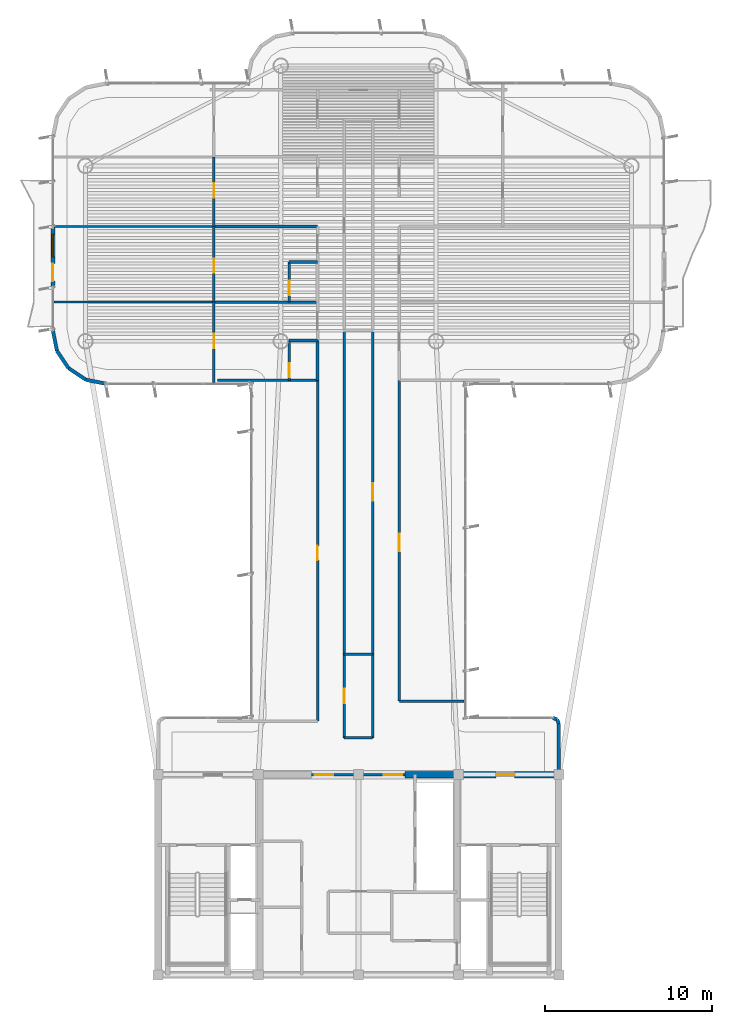
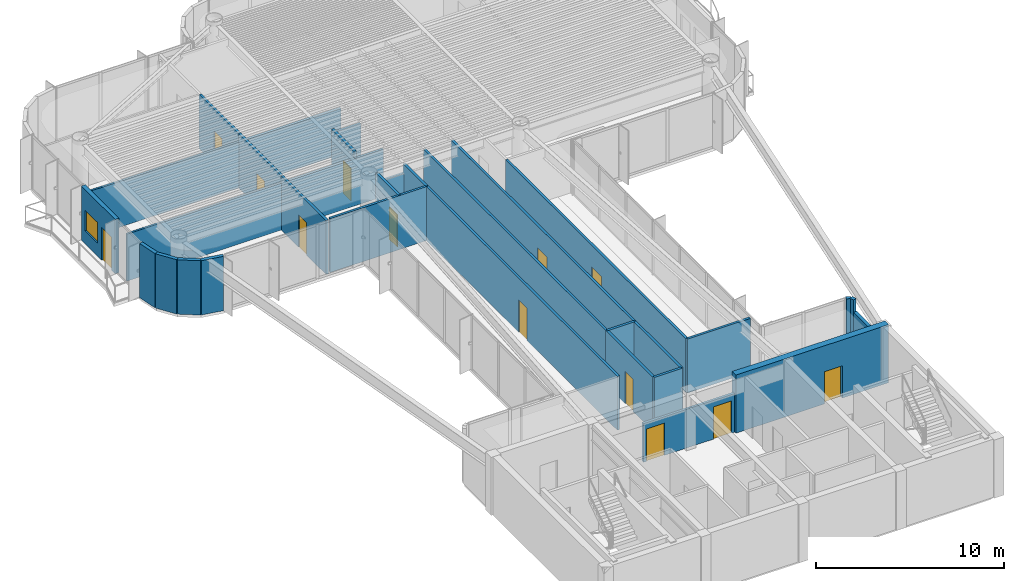
# One storey, part 11 of 15: 32 walls, 13 doors, 1 window, 14 openings.
"""IFC4 building model written with IfcOpenShell, lengths in metres."""

from ifc_helpers import new_model, si_unit, direction, frame, frame_2d, origin, origin_2d, place, context, subcontext, project, spatial, rectangle, extrude, source, transform, mapped, material, layer, layer_set, type_object, element, fill, save


model = new_model("IFC4")

# Units and contexts
model_context = context("Model", 3, precision=1e-05, world=origin(), true_north=direction((0.0, 1.0)))
body_context = subcontext(model_context, "Body", "Model", "MODEL_VIEW")
ifc_project = project(units=[si_unit("LENGTHUNIT", "METRE"), si_unit("AREAUNIT", "SQUARE_METRE"), si_unit("VOLUMEUNIT", "CUBIC_METRE"), si_unit("PLANEANGLEUNIT", "RADIAN"), si_unit("MASSUNIT", "GRAM", prefix="KILO")], contexts=[model_context])

# Site, building, storey
site_placement = place(None, origin())
site = spatial("IfcSite", under=ifc_project, at=site_placement, CompositionType="ELEMENT")
building_placement = place(site_placement, origin())
building = spatial("IfcBuilding", under=site, at=building_placement, Name="Brelvock Crest Care Tower", CompositionType="ELEMENT")
storey_placement = place(building_placement, frame((0.0, 0.0, 260.820068359375)))
storey = spatial("IfcBuildingStorey", under=building, at=storey_placement, Name="L66", CompositionType="ELEMENT", Elevation=260.820068359375)

# Wall, opening, door
ifc_material_1 = material(Name="Concrete S65 (65 MPa)", Category="concrete")
ifc_layer_1 = layer(ifc_material_1, 0.39990234375, Name="WL-CS4")
ifc_layer_set_1 = layer_set([ifc_layer_1], Name="Concrete S65 (65 MPa)")
wall_type_1 = type_object("IfcWallType", Name="WL-CS4", PredefinedType="SHEAR", material=ifc_layer_set_1)
wall_1_placement = place(storey_placement, frame((38.800048828125, 18.0, 0.0), z_axis=(0.0, 0.0, 1.0), x_axis=(1.0, 0.0, 0.0)))
wall_1 = element("IfcWall", 1, at=wall_1_placement, inside=storey, type_object=wall_type_1, Name="L66 Core North-East Shear Wall", PredefinedType="SHEAR", context=body_context, shape_type="SweptSolid", body=[
    extrude(rectangle(XDim=9.39990234375, YDim=0.39990234375, at=frame_2d((4.699951171875, 0.0))), origin(), (0.0, 0.0, 1.0), 3.780029296875),
])
opening_1_placement = place(wall_1_placement, frame((5.449951171875, 0.0, 0.0)))
opening_1 = element("IfcOpeningElement", 2, at=opening_1_placement, cuts=wall_1, Name="Opening FD-1", PredefinedType="OPENING", context=body_context, shape_type="SweptSolid", body=[
    extrude(rectangle(XDim=1.10009765625, YDim=2.10009765625, at=origin_2d()), frame((0.550048828125, 0.2099609375, 1.050048828125), z_axis=(0.0, -1.0, 0.0), x_axis=(1.0, 0.0, 0.0)), (0.0, 0.0, 1.0), 0.419921875),
])
ifc_material_2 = material(Name="Steel Grade 350", Category="steel")
door_type_1 = type_object("IfcDoorType", Name="DR-FFL1", OperationType="NOTDEFINED", PredefinedType="DOOR", material=ifc_material_2)
shared_shape_1 = source(origin(), body_context, "Body", "SweptSolid", [
    extrude(rectangle(XDim=1.10009765625, YDim=2.10009765625, at=origin_2d()), frame((0.550048828125, 0.02490234375, 1.050048828125), z_axis=(0.0, -1.0, 0.0), x_axis=(1.0, 0.0, 0.0)), (0.0, 0.0, 1.0), 0.050048828125),
])
door_1_placement = place(opening_1_placement, origin())
door_1 = element("IfcDoor", 3, at=door_1_placement, inside=storey, type_object=door_type_1, Name="L66 Firefighting Lobby FFL-2 Exit Door", OperationType="SINGLE_SWING_RIGHT", OverallHeight=2.10009765625, OverallWidth=1.10009765625, PredefinedType="DOOR", context=body_context, shape_type="MappedRepresentation", body=[
    mapped(shared_shape_1, transform((0.0, 0.0, 0.0), x_axis=(1.0, 0.0, 0.0), y_axis=(0.0, 1.0, 0.0), z_axis=(0.0, 0.0, 1.0), scale=1.0)),
])
fill(opening_1, door_1)

# Wall, openings, door, window
ifc_material_3 = material(Name="Precast concrete N40 (40 MPa)", Category="concrete")
ifc_layer_2 = layer(ifc_material_3, 0.239990234375, Name="WL-EX1")
ifc_layer_set_2 = layer_set([ifc_layer_2], Name="Precast concrete N40 (40 MPa)")
wall_type_2 = type_object("IfcWallType", Name="WL-EX1", PredefinedType="SOLIDWALL", material=ifc_layer_set_2)
wall_2_placement = place(storey_placement, frame((17.699951171875, 47.14990234375, 0.0), z_axis=(0.0, 0.0, 1.0), x_axis=(0.0, 1.0, 0.0)))
wall_2 = element("IfcWall", 4, at=wall_2_placement, inside=storey, type_object=wall_type_2, Name="L66 Exterior Spandrel Wall WL-BAL-L66-W", PredefinedType="SOLIDWALL", context=body_context, shape_type="SweptSolid", body=[
    extrude(rectangle(XDim=3.60009765625, YDim=0.239990234375, at=frame_2d((1.800048828125, 0.0))), origin(), (0.0, 0.0, 1.0), 3.530029296875),
])
opening_2_placement = place(wall_2_placement, frame((0.39990234375, 0.0, 0.0)))
opening_2 = element("IfcOpeningElement", 5, at=opening_2_placement, cuts=wall_2, Name="Opening BD-1", PredefinedType="OPENING", context=body_context, shape_type="SweptSolid", body=[
    extrude(rectangle(XDim=1.050048828125, YDim=2.14990234375, at=origin_2d()), frame((0.52490234375, 0.1298828125, 1.074951171875), z_axis=(0.0, -1.0, 0.0), x_axis=(1.0, 0.0, 0.0)), (0.0, 0.0, 1.0), 0.260009765625),
])
opening_3_placement = place(wall_2_placement, frame((1.85009765625, 0.0, 0.85009765625)))
opening_3 = element("IfcOpeningElement", 6, at=opening_3_placement, cuts=wall_2, Name="Opening W-01", PredefinedType="OPENING", context=body_context, shape_type="SweptSolid", body=[
    extrude(rectangle(XDim=1.35009765625, YDim=1.35009765625, at=origin_2d()), frame((0.675048828125, 0.1298828125, 0.675048828125), z_axis=(0.0, -1.0, 0.0), x_axis=(1.0, 0.0, 0.0)), (0.0, 0.0, 1.0), 0.260009765625),
])
ifc_material_4 = material(Name="Dark Glass Double Glazed Low-E", Category="glass")
door_type_2 = type_object("IfcDoorType", Name="DR-BAL1", OperationType="NOTDEFINED", PredefinedType="DOOR", material=ifc_material_4)
shared_shape_2 = source(origin(), body_context, "Body", "SweptSolid", [
    extrude(rectangle(XDim=1.050048828125, YDim=2.14990234375, at=origin_2d()), frame((0.52490234375, 0.02490234375, 1.074951171875), z_axis=(0.0, -1.0, 0.0), x_axis=(1.0, 0.0, 0.0)), (0.0, 0.0, 1.0), 0.050048828125),
])
door_2_placement = place(opening_2_placement, origin())
door_2 = element("IfcDoor", 7, at=door_2_placement, inside=storey, type_object=door_type_2, Name="L66 W Wave Balcony Glazed Door", OperationType="SINGLE_SWING_LEFT", OverallHeight=2.14990234375, OverallWidth=1.050048828125, PredefinedType="DOOR", context=body_context, shape_type="MappedRepresentation", body=[
    mapped(shared_shape_2, transform((0.0, 0.0, 0.0), x_axis=(1.0, 0.0, 0.0), y_axis=(0.0, 1.0, 0.0), z_axis=(0.0, 0.0, 1.0), scale=1.0)),
])
fill(opening_2, door_2)
window_type = type_object("IfcWindowType", Name="WN-EX1", PartitioningType="SINGLE_PANEL", PredefinedType="WINDOW", material=ifc_material_4)
shared_shape_3 = source(origin(), body_context, "Body", "SweptSolid", [
    extrude(rectangle(XDim=1.35009765625, YDim=1.35009765625, at=origin_2d()), frame((0.675048828125, 0.030029296875, 0.675048828125), z_axis=(0.0, -1.0, 0.0), x_axis=(1.0, 0.0, 0.0)), (0.0, 0.0, 1.0), 0.06005859375),
])
window_placement = place(opening_3_placement, origin())
window = element("IfcWindow", 8, at=window_placement, inside=storey, type_object=window_type, Name="L66 W Suite Casement Window", OverallHeight=1.35009765625, OverallWidth=1.35009765625, PartitioningType="SINGLE_PANEL", PredefinedType="WINDOW", context=body_context, shape_type="MappedRepresentation", body=[
    mapped(shared_shape_3, transform((0.0, 0.0, 0.0), x_axis=(1.0, 0.0, 0.0), y_axis=(0.0, 1.0, 0.0), z_axis=(0.0, 0.0, 1.0), scale=1.0)),
])
fill(opening_3, window)

# Walls
ifc_layer_3 = layer(ifc_material_3, 0.215087890625, Name="WL-EX2")
ifc_layer_set_3 = layer_set([ifc_layer_3], Name="Precast concrete N40 (40 MPa)")
wall_type_3 = type_object("IfcWallType", Name="WL-EX2", PredefinedType="SOLIDWALL", material=ifc_layer_set_3)
wall_3_placement = place(storey_placement, frame((47.8974609375, 21.297607421875, 0.0), z_axis=(0.0, 0.0, 1.0), x_axis=(0.382673670509, -0.923883575944, 0.0)))
element("IfcWall", 9, at=wall_3_placement, inside=storey, type_object=wall_type_3, Name="L66 Rounded Corner Wall 00", PredefinedType="SOLIDWALL", context=body_context, shape_type="SweptSolid", body=[
    extrude(rectangle(XDim=0.26806640625, YDim=0.215087890625, at=frame_2d((0.134033203125, 0.0))), origin(), (0.0, 0.0, 1.0), 3.530029296875),
])
wall_4_placement = place(storey_placement, frame((48.0, 21.050048828125, 0.0), z_axis=(0.0, 0.0, 1.0), x_axis=(0.0, -1.0, 0.0)))
element("IfcWall", 10, at=wall_4_placement, inside=storey, type_object=wall_type_3, Name="L66 Rounded Corner Wall 01", PredefinedType="SOLIDWALL", context=body_context, shape_type="SweptSolid", body=[
    extrude(rectangle(XDim=2.77001953125, YDim=0.215087890625, at=frame_2d((1.385009765625, 0.0))), origin(), (0.0, 0.0, 1.0), 2.718017578125),
])
for number, where, z_axis, x_axis, name in (
    (11, (20.89990234375, 41.39990234375, 0.0), (0.0, 0.0, 1.0), (-0.980775717779, 0.195138390419, 0.0), "L66 Rounded Corner Wall 13"),
    (12, (19.67529296875, 41.6435546875, 0.0), (0.0, 0.0, 1.0), (-0.831387912822, 0.555692485475, 0.0), "L66 Rounded Corner Wall 14"),
    (13, (18.63720703125, 42.33740234375, 0.0), (0.0, 0.0, 1.0), (-0.555557312883, 0.831478245117, 0.0), "L66 Rounded Corner Wall 15"),
    (14, (17.943603515625, 43.37548828125, 0.0), (0.0, 0.0, 1.0), (-0.195138390419, 0.980775717779, 0.0), "L66 Rounded Corner Wall 16"),
):
    element("IfcWall", number, at=place(storey_placement, frame(where, z_axis=z_axis, x_axis=x_axis)), inside=storey, type_object=wall_type_3, Name=name, PredefinedType="SOLIDWALL", context=body_context, shape_type="SweptSolid", body=[
        extrude(rectangle(XDim=1.24853515625, YDim=0.215087890625, at=frame_2d((0.624267578125, 0.0))), origin(), (0.0, 0.0, 1.0), 3.530029296875),
    ])
wall_5_placement = place(storey_placement, frame((47.64990234375, 21.39990234375, 0.0), z_axis=(0.0, 0.0, 1.0), x_axis=(0.924205486139, -0.381895560841, 0.0)))
element("IfcWall", 15, at=wall_5_placement, inside=storey, type_object=wall_type_3, Name="L66 Rounded Corner Wall 47", PredefinedType="SOLIDWALL", context=body_context, shape_type="SweptSolid", body=[
    extrude(rectangle(XDim=0.267822265625, YDim=0.215087890625, at=frame_2d((0.1337890625, 0.0))), origin(), (0.0, 0.0, 1.0), 3.530029296875),
])

# Wall, openings, doors
ifc_material_5 = material(Name="Masonry Blockwork Acoustic Partition", Category="masonry")
ifc_layer_4 = layer(ifc_material_5, 0.14990234375, Name="WL-INT1")
ifc_layer_set_4 = layer_set([ifc_layer_4], Name="Masonry Blockwork Acoustic Partition")
wall_type_4 = type_object("IfcWallType", Name="WL-INT1", PredefinedType="PARTITIONING", material=ifc_layer_set_4)
wall_6_placement = place(storey_placement, frame((33.199951171875, 18.0, 0.0), z_axis=(0.0, 0.0, 1.0), x_axis=(1.0, 0.0, 0.0)))
wall_6 = element("IfcWall", 16, at=wall_6_placement, inside=storey, type_object=wall_type_4, Name="L66 Interior Wall WL-CORE-NPORT-L66", PredefinedType="PARTITIONING", context=body_context, shape_type="SweptSolid", body=[
    extrude(rectangle(XDim=5.60009765625, YDim=0.14990234375, at=frame_2d((2.800048828125, 0.0))), origin(), (0.0, 0.0, 1.0), 2.514892578125),
])
opening_4_placement = place(wall_6_placement, frame((0.18994140625, 0.0, 0.0)))
opening_4 = element("IfcOpeningElement", 17, at=opening_4_placement, cuts=wall_6, Name="Opening FD-1", PredefinedType="OPENING", context=body_context, shape_type="SweptSolid", body=[
    extrude(rectangle(XDim=1.10009765625, YDim=2.10009765625, at=origin_2d()), frame((0.550048828125, 0.0849609375, 1.050048828125), z_axis=(0.0, -1.0, 0.0), x_axis=(1.0, 0.0, 0.0)), (0.0, 0.0, 1.0), 0.169921875),
])
opening_5_placement = place(wall_6_placement, frame((4.31005859375, 0.0, 0.0)))
opening_5 = element("IfcOpeningElement", 18, at=opening_5_placement, cuts=wall_6, Name="Opening FD-1", PredefinedType="OPENING", context=body_context, shape_type="SweptSolid", body=[
    extrude(rectangle(XDim=1.10009765625, YDim=2.10009765625, at=origin_2d()), frame((0.550048828125, 0.0849609375, 1.050048828125), z_axis=(0.0, -1.0, 0.0), x_axis=(1.0, 0.0, 0.0)), (0.0, 0.0, 1.0), 0.169921875),
])
door_3_placement = place(opening_4_placement, origin())
door_3 = element("IfcDoor", 19, at=door_3_placement, inside=storey, type_object=door_type_1, Name="L66 Lift Lobby North Smoke Door West", OperationType="SINGLE_SWING_LEFT", OverallHeight=2.10009765625, OverallWidth=1.10009765625, PredefinedType="DOOR", context=body_context, shape_type="MappedRepresentation", body=[
    mapped(shared_shape_1, transform((0.0, 0.0, 0.0), x_axis=(1.0, 0.0, 0.0), y_axis=(0.0, 1.0, 0.0), z_axis=(0.0, 0.0, 1.0), scale=1.0)),
])
fill(opening_4, door_3)
door_4_placement = place(opening_5_placement, origin())
door_4 = element("IfcDoor", 20, at=door_4_placement, inside=storey, type_object=door_type_1, Name="L66 Lift Lobby North Smoke Door East", OperationType="SINGLE_SWING_RIGHT", OverallHeight=2.10009765625, OverallWidth=1.10009765625, PredefinedType="DOOR", context=body_context, shape_type="MappedRepresentation", body=[
    mapped(shared_shape_1, transform((0.0, 0.0, 0.0), x_axis=(1.0, 0.0, 0.0), y_axis=(0.0, 1.0, 0.0), z_axis=(0.0, 0.0, 1.0), scale=1.0)),
])
fill(opening_5, door_4)

# Walls
wall_7_placement = place(storey_placement, frame((38.449951171875, 22.39990234375, 0.0), z_axis=(0.0, 0.0, 1.0), x_axis=(1.0, 0.0, 0.0)))
element("IfcWall", 21, at=wall_7_placement, inside=storey, type_object=wall_type_4, Name="L66 Interior Wall WL-BX-L66-THRE-S", PredefinedType="PARTITIONING", context=body_context, shape_type="SweptSolid", body=[
    extrude(rectangle(XDim=3.873291015625, YDim=0.14990234375, at=frame_2d((1.9365234375, 0.0))), origin(), (0.0, 0.0, 1.0), 3.5),
])
wall_8_placement = place(storey_placement, frame((27.557861328125, 41.60009765625, 0.0), z_axis=(0.0, 0.0, 1.0), x_axis=(1.0, 0.0, 0.0)))
element("IfcWall", 22, at=wall_8_placement, inside=storey, type_object=wall_type_4, Name="L66 Interior Wall WL-BX-L66-CS-WS1-S", PredefinedType="PARTITIONING", context=body_context, shape_type="SweptSolid", body=[
    extrude(rectangle(XDim=5.9921875, YDim=0.14990234375, at=frame_2d((2.99609375, 0.0))), origin(), (0.0, 0.0, 1.0), 3.5),
])
wall_9_placement = place(storey_placement, frame((27.35009765625, 46.298095703125, 0.0), z_axis=(0.0, 0.0, 1.0), x_axis=(1.0, 0.0, 0.0)))
element("IfcWall", 23, at=wall_9_placement, inside=storey, type_object=wall_type_4, Name="L66 Interior Wall WL-BX-L66-CS-WS1-N", PredefinedType="PARTITIONING", context=body_context, shape_type="SweptSolid", body=[
    extrude(rectangle(XDim=6.199951171875, YDim=0.14990234375, at=frame_2d((3.10009765625, 0.0))), origin(), (0.0, 0.0, 1.0), 3.054931640625),
])
wall_10_placement = place(storey_placement, frame((27.35009765625, 50.822021484375, 0.0), z_axis=(0.0, 0.0, 1.0), x_axis=(1.0, 0.0, 0.0)))
element("IfcWall", 24, at=wall_10_placement, inside=storey, type_object=wall_type_4, Name="L66 Interior Wall WL-BX-L66-CS-WS2-N", PredefinedType="PARTITIONING", context=body_context, shape_type="SweptSolid", body=[
    extrude(rectangle(XDim=6.199951171875, YDim=0.14990234375, at=frame_2d((3.10009765625, 0.0))), origin(), (0.0, 0.0, 1.0), 2.98193359375),
])

# Wall, opening, door
wall_11_placement = place(storey_placement, frame((27.35009765625, 41.47998046875, 0.0), z_axis=(0.0, 0.0, 1.0), x_axis=(0.0, 1.0, 0.0)))
wall_11 = element("IfcWall", 25, at=wall_11_placement, inside=storey, type_object=wall_type_4, Name="L66 Interior Wall WL-RM-L66-WS1S", PredefinedType="PARTITIONING", context=body_context, shape_type="SweptSolid", body=[
    extrude(rectangle(XDim=4.818115234375, YDim=0.14990234375, at=frame_2d((2.4091796875, 0.0))), origin(), (0.0, 0.0, 1.0), 3.5),
])
opening_6_placement = place(wall_11_placement, frame((2.06005859375, 0.0, 0.0)))
opening_6 = element("IfcOpeningElement", 26, at=opening_6_placement, cuts=wall_11, Name="Opening ID-1", PredefinedType="OPENING", context=body_context, shape_type="SweptSolid", body=[
    extrude(rectangle(XDim=0.860107421875, YDim=2.10009765625, at=origin_2d()), frame((0.43017578125, 0.0849609375, 1.050048828125), z_axis=(0.0, -1.0, 0.0), x_axis=(1.0, 0.0, 0.0)), (0.0, 0.0, 1.0), 0.169921875),
])
ifc_material_6 = material(Name="Engineered Hardwood Timber", Category="wood")
door_type_3 = type_object("IfcDoorType", Name="DR-INT1", OperationType="NOTDEFINED", PredefinedType="DOOR", material=ifc_material_6)
shared_shape_4 = source(origin(), body_context, "Body", "SweptSolid", [
    extrude(rectangle(XDim=0.860107421875, YDim=2.10009765625, at=origin_2d()), frame((0.43017578125, 0.02490234375, 1.050048828125), z_axis=(0.0, -1.0, 0.0), x_axis=(1.0, 0.0, 0.0)), (0.0, 0.0, 1.0), 0.050048828125),
])
door_5_placement = place(opening_6_placement, origin())
door_5 = element("IfcDoor", 27, at=door_5_placement, inside=storey, type_object=door_type_3, Name="L66 Skilled Nursing Mobility Store Door WS1S", OperationType="SINGLE_SWING_LEFT", OverallHeight=2.10009765625, OverallWidth=0.860107421875, PredefinedType="DOOR", context=body_context, shape_type="MappedRepresentation", body=[
    mapped(shared_shape_4, transform((0.0, 0.0, 0.0), x_axis=(1.0, 0.0, 0.0), y_axis=(0.0, 1.0, 0.0), z_axis=(0.0, 0.0, 1.0), scale=1.0)),
])
fill(opening_6, door_5)

wall_12_placement = place(storey_placement, frame((27.35009765625, 46.298095703125, 0.0), z_axis=(0.0, 0.0, 1.0), x_axis=(0.0, 1.0, 0.0)))
wall_12 = element("IfcWall", 28, at=wall_12_placement, inside=storey, type_object=wall_type_4, Name="L66 Interior Wall WL-RM-L66-WS2S", PredefinedType="PARTITIONING", context=body_context, shape_type="SweptSolid", body=[
    extrude(rectangle(XDim=4.52392578125, YDim=0.14990234375, at=frame_2d((2.261962890625, 0.0))), origin(), (0.0, 0.0, 1.0), 3.5),
])
opening_7_placement = place(wall_12_placement, frame((1.741943359375, 0.0, 0.0)))
opening_7 = element("IfcOpeningElement", 29, at=opening_7_placement, cuts=wall_12, Name="Opening ID-1", PredefinedType="OPENING", context=body_context, shape_type="SweptSolid", body=[
    extrude(rectangle(XDim=0.860107421875, YDim=2.10009765625, at=origin_2d()), frame((0.43017578125, 0.0849609375, 1.050048828125), z_axis=(0.0, -1.0, 0.0), x_axis=(1.0, 0.0, 0.0)), (0.0, 0.0, 1.0), 0.169921875),
])
door_6_placement = place(opening_7_placement, origin())
door_6 = element("IfcDoor", 30, at=door_6_placement, inside=storey, type_object=door_type_3, Name="L66 Skilled Nursing Mobility Store Door WS2S", OperationType="SINGLE_SWING_LEFT", OverallHeight=2.10009765625, OverallWidth=0.860107421875, PredefinedType="DOOR", context=body_context, shape_type="MappedRepresentation", body=[
    mapped(shared_shape_4, transform((0.0, 0.0, 0.0), x_axis=(1.0, 0.0, 0.0), y_axis=(0.0, 1.0, 0.0), z_axis=(0.0, 0.0, 1.0), scale=1.0)),
])
fill(opening_7, door_6)

wall_13_placement = place(storey_placement, frame((27.35009765625, 50.822021484375, 0.0), z_axis=(0.0, 0.0, 1.0), x_axis=(0.0, 1.0, 0.0)))
wall_13 = element("IfcWall", 31, at=wall_13_placement, inside=storey, type_object=wall_type_4, Name="L66 Interior Wall WL-RM-L66-WS3S", PredefinedType="PARTITIONING", context=body_context, shape_type="SweptSolid", body=[
    extrude(rectangle(XDim=4.176025390625, YDim=0.14990234375, at=frame_2d((2.087890625, 0.0))), origin(), (0.0, 0.0, 1.0), 3.5),
])
opening_8_placement = place(wall_13_placement, frame((1.718017578125, 0.0, 0.0)))
opening_8 = element("IfcOpeningElement", 32, at=opening_8_placement, cuts=wall_13, Name="Opening ID-1", PredefinedType="OPENING", context=body_context, shape_type="SweptSolid", body=[
    extrude(rectangle(XDim=0.860107421875, YDim=2.10009765625, at=origin_2d()), frame((0.43017578125, 0.0849609375, 1.050048828125), z_axis=(0.0, -1.0, 0.0), x_axis=(1.0, 0.0, 0.0)), (0.0, 0.0, 1.0), 0.169921875),
])
door_7_placement = place(opening_8_placement, origin())
door_7 = element("IfcDoor", 33, at=door_7_placement, inside=storey, type_object=door_type_3, Name="L66 Skilled Nursing Mobility Store Door WS3S", OperationType="SINGLE_SWING_LEFT", OverallHeight=2.10009765625, OverallWidth=0.860107421875, PredefinedType="DOOR", context=body_context, shape_type="MappedRepresentation", body=[
    mapped(shared_shape_4, transform((0.0, 0.0, 0.0), x_axis=(1.0, 0.0, 0.0), y_axis=(0.0, 1.0, 0.0), z_axis=(0.0, 0.0, 1.0), scale=1.0)),
])
fill(opening_8, door_7)

wall_14_placement = place(storey_placement, frame((33.550048828125, 21.199951171875, 0.0), z_axis=(0.0, 0.0, 1.0), x_axis=(0.0, 1.0, 0.0)))
wall_14 = element("IfcWall", 34, at=wall_14_placement, inside=storey, type_object=wall_type_4, Name="L66 Interior Wall WL-RM-L66-THRW", PredefinedType="PARTITIONING", context=body_context, shape_type="SweptSolid", body=[
    extrude(rectangle(XDim=20.400146484375, YDim=0.14990234375, at=frame_2d((10.2001953125, 0.0))), origin(), (0.0, 0.0, 1.0), 3.5),
])
opening_9_placement = place(wall_14_placement, frame((9.639892578125, 0.0, 0.0)))
opening_9 = element("IfcOpeningElement", 35, at=opening_9_placement, cuts=wall_14, Name="Opening ID-1", PredefinedType="OPENING", context=body_context, shape_type="SweptSolid", body=[
    extrude(rectangle(XDim=0.860107421875, YDim=2.10009765625, at=origin_2d()), frame((0.43017578125, 0.0849609375, 1.050048828125), z_axis=(0.0, -1.0, 0.0), x_axis=(1.0, 0.0, 0.0)), (0.0, 0.0, 1.0), 0.169921875),
])
door_8_placement = place(opening_9_placement, origin())
door_8 = element("IfcDoor", 36, at=door_8_placement, inside=storey, type_object=door_type_3, Name="L66 Quiet Family Consultation Room Door THRW", OperationType="SINGLE_SWING_LEFT", OverallHeight=2.10009765625, OverallWidth=0.860107421875, PredefinedType="DOOR", context=body_context, shape_type="MappedRepresentation", body=[
    mapped(shared_shape_4, transform((0.0, 0.0, 0.0), x_axis=(1.0, 0.0, 0.0), y_axis=(0.0, 1.0, 0.0), z_axis=(0.0, 0.0, 1.0), scale=1.0)),
])
fill(opening_9, door_8)

# Wall
wall_15_placement = place(storey_placement, frame((35.14990234375, 25.199951171875, 0.0), z_axis=(0.0, 0.0, 1.0), x_axis=(0.0, 1.0, 0.0)))
element("IfcWall", 37, at=wall_15_placement, inside=storey, type_object=wall_type_4, Name="L66 Interior Wall WL-BX-L66-ISNS-W", PredefinedType="PARTITIONING", context=body_context, shape_type="SweptSolid", body=[
    extrude(rectangle(XDim=19.420166015625, YDim=0.14990234375, at=frame_2d((9.7099609375, 0.0))), origin(), (0.0, 0.0, 1.0), 3.5),
])

# Wall, opening, door
wall_16_placement = place(storey_placement, frame((36.85009765625, 25.199951171875, 0.0), z_axis=(0.0, 0.0, 1.0), x_axis=(0.0, 1.0, 0.0)))
wall_16 = element("IfcWall", 38, at=wall_16_placement, inside=storey, type_object=wall_type_4, Name="L66 Interior Wall WL-RM-L66-ISNS", PredefinedType="PARTITIONING", context=body_context, shape_type="SweptSolid", body=[
    extrude(rectangle(XDim=19.420166015625, YDim=0.14990234375, at=frame_2d((9.7099609375, 0.0))), origin(), (0.0, 0.0, 1.0), 3.5),
])
opening_10_placement = place(wall_16_placement, frame((9.18505859375, 0.0, 0.0)))
opening_10 = element("IfcOpeningElement", 39, at=opening_10_placement, cuts=wall_16, Name="Opening CLD-1", PredefinedType="OPENING", context=body_context, shape_type="SweptSolid", body=[
    extrude(rectangle(XDim=1.050048828125, YDim=2.10009765625, at=origin_2d()), frame((0.52490234375, 0.0849609375, 1.050048828125), z_axis=(0.0, -1.0, 0.0), x_axis=(1.0, 0.0, 0.0)), (0.0, 0.0, 1.0), 0.169921875),
])
door_type_4 = type_object("IfcDoorType", Name="DR-CLN1", OperationType="NOTDEFINED", PredefinedType="DOOR", material=ifc_material_6)
shared_shape_5 = source(origin(), body_context, "Body", "SweptSolid", [
    extrude(rectangle(XDim=1.050048828125, YDim=2.10009765625, at=origin_2d()), frame((0.52490234375, 0.02490234375, 1.050048828125), z_axis=(0.0, -1.0, 0.0), x_axis=(1.0, 0.0, 0.0)), (0.0, 0.0, 1.0), 0.050048828125),
])
door_9_placement = place(opening_10_placement, origin())
door_9 = element("IfcDoor", 40, at=door_9_placement, inside=storey, type_object=door_type_4, Name="L66 Care Concierge and Triage Station Door ISNS", OperationType="SINGLE_SWING_LEFT", OverallHeight=2.10009765625, OverallWidth=1.050048828125, PredefinedType="DOOR", context=body_context, shape_type="MappedRepresentation", body=[
    mapped(shared_shape_5, transform((0.0, 0.0, 0.0), x_axis=(1.0, 0.0, 0.0), y_axis=(0.0, 1.0, 0.0), z_axis=(0.0, 0.0, 1.0), scale=1.0)),
])
fill(opening_10, door_9)

wall_17_placement = place(storey_placement, frame((38.449951171875, 22.39990234375, 0.0), z_axis=(0.0, 0.0, 1.0), x_axis=(0.0, 1.0, 0.0)))
wall_17 = element("IfcWall", 41, at=wall_17_placement, inside=storey, type_object=wall_type_4, Name="L66 Interior Wall WL-RM-L66-THRE", PredefinedType="PARTITIONING", context=body_context, shape_type="SweptSolid", body=[
    extrude(rectangle(XDim=19.2001953125, YDim=0.14990234375, at=frame_2d((9.60009765625, 0.0))), origin(), (0.0, 0.0, 1.0), 3.5),
])
opening_11_placement = place(wall_17_placement, frame((8.97509765625, 0.0, 0.0)))
opening_11 = element("IfcOpeningElement", 42, at=opening_11_placement, cuts=wall_17, Name="Opening CLD-1", PredefinedType="OPENING", context=body_context, shape_type="SweptSolid", body=[
    extrude(rectangle(XDim=1.050048828125, YDim=2.10009765625, at=origin_2d()), frame((0.52490234375, 0.0849609375, 1.050048828125), z_axis=(0.0, -1.0, 0.0), x_axis=(1.0, 0.0, 0.0)), (0.0, 0.0, 1.0), 0.169921875),
])
door_10_placement = place(opening_11_placement, origin())
door_10 = element("IfcDoor", 43, at=door_10_placement, inside=storey, type_object=door_type_4, Name="L66 Allied Health Therapy Room Door THRE", OperationType="SINGLE_SWING_LEFT", OverallHeight=2.10009765625, OverallWidth=1.050048828125, PredefinedType="DOOR", context=body_context, shape_type="MappedRepresentation", body=[
    mapped(shared_shape_5, transform((0.0, 0.0, 0.0), x_axis=(1.0, 0.0, 0.0), y_axis=(0.0, 1.0, 0.0), z_axis=(0.0, 0.0, 1.0), scale=1.0)),
])
fill(opening_11, door_10)

# Walls
ifc_material_7 = material(Name="Gypsum Plasterboard Partition", Category="gypsum")
ifc_layer_5 = layer(ifc_material_7, 0.1201171875, Name="WL-INT2")
ifc_layer_set_5 = layer_set([ifc_layer_5], Name="Gypsum Plasterboard Partition")
wall_type_5 = type_object("IfcWallType", Name="WL-INT2", PredefinedType="PARTITIONING", material=ifc_layer_set_5)
wall_18_placement = place(storey_placement, frame((17.780029296875, 46.298095703125, 0.0), z_axis=(0.0, 0.0, 1.0), x_axis=(1.0, 0.0, 0.0)))
element("IfcWall", 44, at=wall_18_placement, inside=storey, type_object=wall_type_5, Name="L66 Interior Wall WL-BX-L66-WS1S-N", PredefinedType="PARTITIONING", context=body_context, shape_type="SweptSolid", body=[
    extrude(rectangle(XDim=9.570068359375, YDim=0.1201171875, at=frame_2d((4.78515625, 0.0))), origin(), (0.0, 0.0, 1.0), 3.054931640625),
])
wall_19_placement = place(storey_placement, frame((17.780029296875, 50.822021484375, 0.0), z_axis=(0.0, 0.0, 1.0), x_axis=(1.0, 0.0, 0.0)))
element("IfcWall", 45, at=wall_19_placement, inside=storey, type_object=wall_type_5, Name="L66 Interior Wall WL-BX-L66-WS2S-N", PredefinedType="PARTITIONING", context=body_context, shape_type="SweptSolid", body=[
    extrude(rectangle(XDim=9.570068359375, YDim=0.1201171875, at=frame_2d((4.78515625, 0.0))), origin(), (0.0, 0.0, 1.0), 2.98193359375),
])
ifc_layer_6 = layer(ifc_material_7, 0.159912109375, Name="WL-PLM1")
ifc_layer_set_6 = layer_set([ifc_layer_6], Name="Gypsum Plasterboard Partition")
wall_type_6 = type_object("IfcWallType", Name="WL-PLM1", PredefinedType="PLUMBINGWALL", material=ifc_layer_set_6)
for number, where, z_axis, x_axis, name in (
    (46, (35.14990234375, 20.199951171875, 0.0), (0.0, 0.0, 1.0), (1.0, 0.0, 0.0), "L66 Interior Wall WL-BX-L66-ISWC-S"),
    (47, (35.14990234375, 25.199951171875, 0.0), (0.0, 0.0, 1.0), (1.0, 0.0, 0.0), "L66 Interior Wall WL-BX-L66-ISNS-S"),
):
    element("IfcWall", number, at=place(storey_placement, frame(where, z_axis=z_axis, x_axis=x_axis)), inside=storey, type_object=wall_type_6, Name=name, PredefinedType="PLUMBINGWALL", context=body_context, shape_type="SweptSolid", body=[
        extrude(rectangle(XDim=1.7001953125, YDim=0.159912109375, at=frame_2d((0.85009765625, 0.0))), origin(), (0.0, 0.0, 1.0), 3.5),
    ])
wall_20_placement = place(storey_placement, frame((31.85009765625, 44.0, 0.0), z_axis=(0.0, 0.0, 1.0), x_axis=(1.0, 0.0, 0.0)))
element("IfcWall", 48, at=wall_20_placement, inside=storey, type_object=wall_type_6, Name="L66 Interior Wall WL-CENS2-L66-WS1", PredefinedType="PLUMBINGWALL", context=body_context, shape_type="SweptSolid", body=[
    extrude(rectangle(XDim=1.699951171875, YDim=0.159912109375, at=frame_2d((0.85009765625, 0.0))), origin(), (0.0, 0.0, 1.0), 2.90283203125),
])
wall_21_placement = place(storey_placement, frame((31.85009765625, 48.697998046875, 0.0), z_axis=(0.0, 0.0, 1.0), x_axis=(1.0, 0.0, 0.0)))
element("IfcWall", 49, at=wall_21_placement, inside=storey, type_object=wall_type_6, Name="L66 Interior Wall WL-CENS2-L66-WS2", PredefinedType="PLUMBINGWALL", context=body_context, shape_type="SweptSolid", body=[
    extrude(rectangle(XDim=1.699951171875, YDim=0.159912109375, at=frame_2d((0.85009765625, 0.0))), origin(), (0.0, 0.0, 1.0), 3.259033203125),
])

# Wall, opening, door
wall_22_placement = place(storey_placement, frame((31.85009765625, 41.60009765625, 0.0), z_axis=(0.0, 0.0, 1.0), x_axis=(0.0, 1.0, 0.0)))
wall_22 = element("IfcWall", 50, at=wall_22_placement, inside=storey, type_object=wall_type_6, Name="L66 Interior Wall WL-CENS1-L66-WS1", PredefinedType="PLUMBINGWALL", context=body_context, shape_type="SweptSolid", body=[
    extrude(rectangle(XDim=2.39990234375, YDim=0.159912109375, at=frame_2d((1.199951171875, 0.0))), origin(), (0.0, 0.0, 1.0), 3.5),
])
opening_12_placement = place(wall_22_placement, frame((0.179931640625, 0.0, 0.0)))
opening_12 = element("IfcOpeningElement", 51, at=opening_12_placement, cuts=wall_22, Name="Opening WD-1", PredefinedType="OPENING", context=body_context, shape_type="SweptSolid", body=[
    extrude(rectangle(XDim=0.860107421875, YDim=2.10009765625, at=origin_2d()), frame((0.43017578125, 0.08984375, 1.050048828125), z_axis=(0.0, -1.0, 0.0), x_axis=(1.0, 0.0, 0.0)), (0.0, 0.0, 1.0), 0.179931640625),
])
door_type_5 = type_object("IfcDoorType", Name="DR-WC1", OperationType="NOTDEFINED", PredefinedType="DOOR", material=ifc_material_6)
shared_shape_6 = source(origin(), body_context, "Body", "SweptSolid", [
    extrude(rectangle(XDim=0.860107421875, YDim=2.10009765625, at=origin_2d()), frame((0.43017578125, 0.02490234375, 1.050048828125), z_axis=(0.0, -1.0, 0.0), x_axis=(1.0, 0.0, 0.0)), (0.0, 0.0, 1.0), 0.050048828125),
])
door_11_placement = place(opening_12_placement, origin())
door_11 = element("IfcDoor", 52, at=door_11_placement, inside=storey, type_object=door_type_5, Name="L66 Care En-Suite Door WS1", OperationType="SINGLE_SWING_LEFT", OverallHeight=2.10009765625, OverallWidth=0.860107421875, PredefinedType="DOOR", context=body_context, shape_type="MappedRepresentation", body=[
    mapped(shared_shape_6, transform((0.0, 0.0, 0.0), x_axis=(1.0, 0.0, 0.0), y_axis=(0.0, 1.0, 0.0), z_axis=(0.0, 0.0, 1.0), scale=1.0)),
])
fill(opening_12, door_11)

wall_23_placement = place(storey_placement, frame((31.85009765625, 46.298095703125, 0.0), z_axis=(0.0, 0.0, 1.0), x_axis=(0.0, 1.0, 0.0)))
wall_23 = element("IfcWall", 53, at=wall_23_placement, inside=storey, type_object=wall_type_6, Name="L66 Interior Wall WL-CENS1-L66-WS2", PredefinedType="PLUMBINGWALL", context=body_context, shape_type="SweptSolid", body=[
    extrude(rectangle(XDim=2.39990234375, YDim=0.159912109375, at=frame_2d((1.199951171875, 0.0))), origin(), (0.0, 0.0, 1.0), 3.5),
])
opening_13_placement = place(wall_23_placement, frame((0.419921875, 0.0, 0.0)))
opening_13 = element("IfcOpeningElement", 54, at=opening_13_placement, cuts=wall_23, Name="Opening WD-1", PredefinedType="OPENING", context=body_context, shape_type="SweptSolid", body=[
    extrude(rectangle(XDim=0.860107421875, YDim=2.10009765625, at=origin_2d()), frame((0.43017578125, 0.08984375, 1.050048828125), z_axis=(0.0, -1.0, 0.0), x_axis=(1.0, 0.0, 0.0)), (0.0, 0.0, 1.0), 0.179931640625),
])
door_12_placement = place(opening_13_placement, origin())
door_12 = element("IfcDoor", 55, at=door_12_placement, inside=storey, type_object=door_type_5, Name="L66 Care En-Suite Door WS2", OperationType="SINGLE_SWING_LEFT", OverallHeight=2.10009765625, OverallWidth=0.860107421875, PredefinedType="DOOR", context=body_context, shape_type="MappedRepresentation", body=[
    mapped(shared_shape_6, transform((0.0, 0.0, 0.0), x_axis=(1.0, 0.0, 0.0), y_axis=(0.0, 1.0, 0.0), z_axis=(0.0, 0.0, 1.0), scale=1.0)),
])
fill(opening_13, door_12)

# Wall
wall_24_placement = place(storey_placement, frame((33.550048828125, 41.60009765625, 0.0), z_axis=(0.0, 0.0, 1.0), x_axis=(0.0, 1.0, 0.0)))
element("IfcWall", 56, at=wall_24_placement, inside=storey, type_object=wall_type_6, Name="L66 Interior Wall WL-CENS0-L66-WS1", PredefinedType="PLUMBINGWALL", context=body_context, shape_type="SweptSolid", body=[
    extrude(rectangle(XDim=2.39990234375, YDim=0.159912109375, at=frame_2d((1.199951171875, 0.0))), origin(), (0.0, 0.0, 1.0), 3.5),
])

# Wall, opening, door
wall_25_placement = place(storey_placement, frame((35.14990234375, 20.199951171875, 0.0), z_axis=(0.0, 0.0, 1.0), x_axis=(0.0, 1.0, 0.0)))
wall_25 = element("IfcWall", 57, at=wall_25_placement, inside=storey, type_object=wall_type_6, Name="L66 Interior Wall WL-RM-L66-ISWC", PredefinedType="PLUMBINGWALL", context=body_context, shape_type="SweptSolid", body=[
    extrude(rectangle(XDim=5.0, YDim=0.159912109375, at=frame_2d((2.5, 0.0))), origin(), (0.0, 0.0, 1.0), 3.5),
])
opening_14_placement = place(wall_25_placement, frame((2.070068359375, 0.0, 0.0)))
opening_14 = element("IfcOpeningElement", 58, at=opening_14_placement, cuts=wall_25, Name="Opening WD-1", PredefinedType="OPENING", context=body_context, shape_type="SweptSolid", body=[
    extrude(rectangle(XDim=0.860107421875, YDim=2.10009765625, at=origin_2d()), frame((0.43017578125, 0.08984375, 1.050048828125), z_axis=(0.0, -1.0, 0.0), x_axis=(1.0, 0.0, 0.0)), (0.0, 0.0, 1.0), 0.179931640625),
])
door_13_placement = place(opening_14_placement, origin())
door_13 = element("IfcDoor", 59, at=door_13_placement, inside=storey, type_object=door_type_5, Name="L66 High-Zone Accessible WC Door ISWC", OperationType="SINGLE_SWING_LEFT", OverallHeight=2.10009765625, OverallWidth=0.860107421875, PredefinedType="DOOR", context=body_context, shape_type="MappedRepresentation", body=[
    mapped(shared_shape_6, transform((0.0, 0.0, 0.0), x_axis=(1.0, 0.0, 0.0), y_axis=(0.0, 1.0, 0.0), z_axis=(0.0, 0.0, 1.0), scale=1.0)),
])
fill(opening_14, door_13)

# Wall
wall_26_placement = place(storey_placement, frame((36.85009765625, 20.199951171875, 0.0), z_axis=(0.0, 0.0, 1.0), x_axis=(0.0, 1.0, 0.0)))
element("IfcWall", 60, at=wall_26_placement, inside=storey, type_object=wall_type_6, Name="L66 Interior Wall WL-BX-L66-ISWC-E", PredefinedType="PLUMBINGWALL", context=body_context, shape_type="SweptSolid", body=[
    extrude(rectangle(XDim=5.0, YDim=0.159912109375, at=frame_2d((2.5, 0.0))), origin(), (0.0, 0.0, 1.0), 3.5),
])

save(model, "model.ifc")
